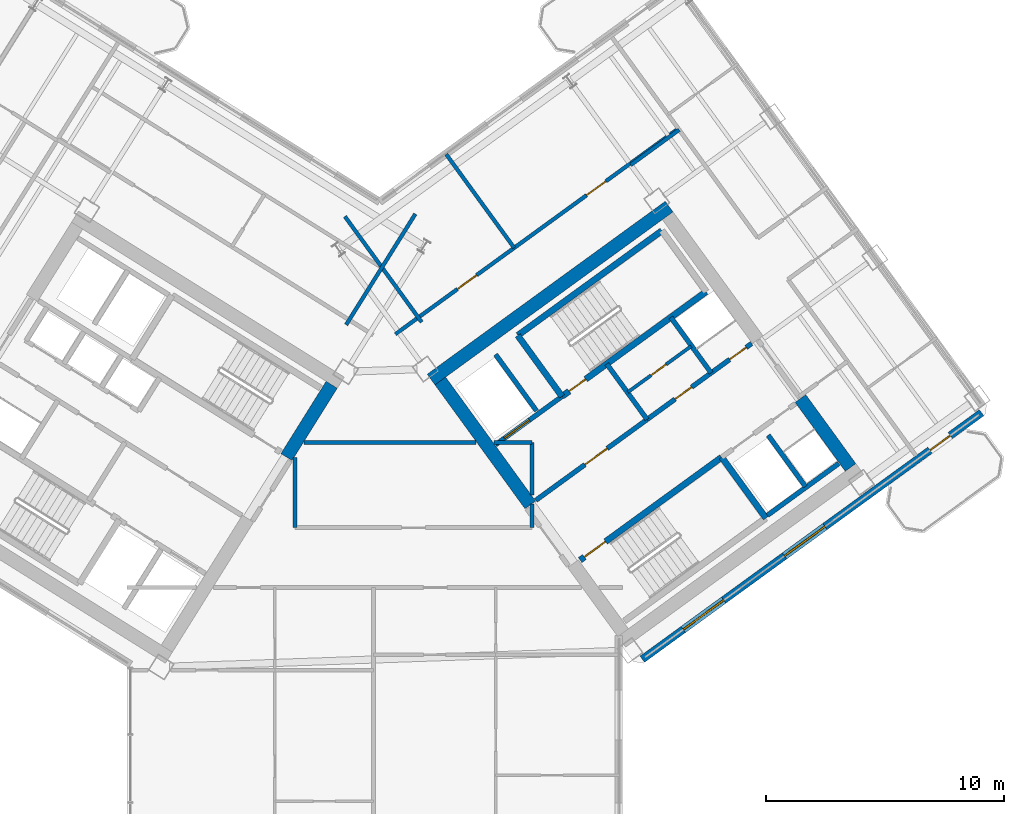
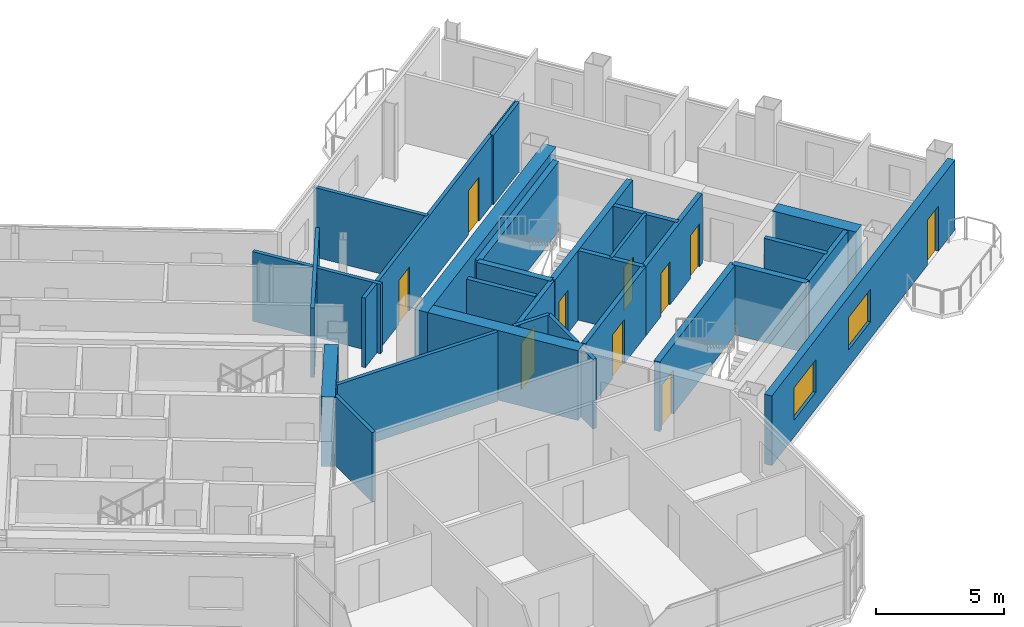
# One storey, part 14 of 21: 29 walls, 10 doors, 2 windows, 12 openings.
"""IFC4 building model written with IfcOpenShell, lengths in metres."""

from ifc_helpers import new_model, si_unit, direction, frame, frame_2d, origin, place, context, subcontext, project, spatial, rectangle, extrude, source, transform, mapped, material, layer, layer_set, type_object, element, fill, save


model = new_model("IFC4")

# Units and contexts
model_context = context("Model", 3, precision=1e-05, world=origin(), true_north=direction((0.0, 1.0)))
body_context = subcontext(model_context, "Body", "Model", "MODEL_VIEW")
ifc_project = project(units=[si_unit("LENGTHUNIT", "METRE"), si_unit("AREAUNIT", "SQUARE_METRE"), si_unit("VOLUMEUNIT", "CUBIC_METRE"), si_unit("PLANEANGLEUNIT", "RADIAN"), si_unit("MASSUNIT", "GRAM", prefix="KILO")], contexts=[model_context])

# Site, building, storey
site_placement = place(None, origin())
site = spatial("IfcSite", under=ifc_project, at=site_placement, CompositionType="ELEMENT")
building_placement = place(site_placement, origin())
building = spatial("IfcBuilding", under=site, at=building_placement, Name="Tlacorven Tower", CompositionType="ELEMENT")
storey_placement = place(building_placement, frame((0.0, 0.0, 191.39990234375)))
storey = spatial("IfcBuildingStorey", under=building, at=storey_placement, Name="L48", CompositionType="ELEMENT", Elevation=191.39990234375)

# Walls
ifc_material_1 = material(Name="Concrete C60/75", Category="concrete")
ifc_layer_1 = layer(ifc_material_1, 0.550048828125)
ifc_layer_set_1 = layer_set([ifc_layer_1], Name="Concrete C60/75")
wall_type_1 = type_object("IfcWallType", Name="WL-COR-550", PredefinedType="SHEAR", material=ifc_layer_set_1)
wall_1_placement = place(storey_placement, frame((40.194091796875, 23.92236328125, 0.0), z_axis=(0.0, 0.0, 1.0), x_axis=(-0.529888438328, -0.848067357541, 0.0)))
element("IfcWall", 1, at=wall_1_placement, inside=storey, type_object=wall_type_1, Name="L48 W core end wall E1.1", PredefinedType="SHEAR", context=body_context, shape_type="SweptSolid", body=[
    extrude(rectangle(XDim=3.574951171875, YDim=0.550048828125, at=frame_2d((1.78759765625, 0.0))), origin(), (0.0, 0.0, 1.0), 3.320068359375),
])
wall_2_placement = place(storey_placement, frame((44.364990234375, 24.142333984375, 0.0), z_axis=(0.0, 0.0, 1.0), x_axis=(0.809024304885, 0.587775190107, 0.0)))
element("IfcWall", 2, at=wall_2_placement, inside=storey, type_object=wall_type_1, Name="L48 E core shear wall S2", PredefinedType="SHEAR", context=body_context, shape_type="SweptSolid", body=[
    extrude(rectangle(XDim=12.340087890625, YDim=0.550048828125, at=frame_2d((6.169921875, 0.0))), origin(), (0.0, 0.0, 1.0), 3.320068359375),
])
wall_3_placement = place(storey_placement, frame((48.525634765625, 18.883544921875, 0.0), z_axis=(0.0, 0.0, 1.0), x_axis=(-0.587764933797, 0.809031756236, 0.0)))
element("IfcWall", 3, at=wall_3_placement, inside=storey, type_object=wall_type_1, Name="L48 E core end wall E1.2", PredefinedType="SHEAR", context=body_context, shape_type="SweptSolid", body=[
    extrude(rectangle(XDim=6.425048828125, YDim=0.550048828125, at=frame_2d((3.21240234375, 0.0))), origin(), (0.0, 0.0, 1.0), 3.320068359375),
])
wall_4_placement = place(storey_placement, frame((61.9580078125, 20.453857421875, 0.0), z_axis=(0.0, 0.0, 1.0), x_axis=(-0.587802113096, 0.809004744015, 0.0)))
element("IfcWall", 4, at=wall_4_placement, inside=storey, type_object=wall_type_1, Name="L48 E core end wall E2.1", PredefinedType="SHEAR", context=body_context, shape_type="SweptSolid", body=[
    extrude(rectangle(XDim=3.574951171875, YDim=0.550048828125, at=frame_2d((1.78759765625, 0.0))), origin(), (0.0, 0.0, 1.0), 3.320068359375),
])
ifc_material_2 = material(Name="Gypsum plasterboard acoustic partition", Category="gypsum")
ifc_layer_2 = layer(ifc_material_2, 0.159912109375)
ifc_layer_set_2 = layer_set([ifc_layer_2], Name="Gypsum plasterboard acoustic partition")
wall_type_2 = type_object("IfcWallType", Name="WL-DEM-160", PredefinedType="PARTITIONING", material=ifc_layer_set_2)
wall_5_placement = place(storey_placement, frame((43.70361328125, 31.086181640625, 0.0), z_axis=(0.0, 0.0, 1.0), x_axis=(-0.529906828443, -0.848055866774, 0.0)))
element("IfcWall", 5, at=wall_5_placement, inside=storey, type_object=wall_type_2, Name="L48 WC West Throat Wall", PredefinedType="PARTITIONING", context=body_context, shape_type="SweptSolid", body=[
    extrude(rectangle(XDim=5.479736328125, YDim=0.159912109375, at=frame_2d((2.73974609375, 0.0))), origin(), (0.0, 0.0, 1.0), 3.31005859375),
])
wall_6_placement = place(storey_placement, frame((38.64990234375, 17.929931640625, 0.0), z_axis=(0.0, 0.0, 1.0), x_axis=(0.0, 1.0, 0.0)))
element("IfcWall", 6, at=wall_6_placement, inside=storey, type_object=wall_type_2, Name="L48 partition 73", PredefinedType="PARTITIONING", context=body_context, shape_type="SweptSolid", body=[
    extrude(rectangle(XDim=2.951416015625, YDim=0.159912109375, at=frame_2d((1.4755859375, 0.0))), origin(), (0.0, 0.0, 1.0), 3.31005859375),
])
wall_7_placement = place(storey_placement, frame((48.60009765625, 17.929931640625, 0.0), z_axis=(0.0, 0.0, 1.0), x_axis=(0.0, 1.0, 0.0)))
element("IfcWall", 7, at=wall_7_placement, inside=storey, type_object=wall_type_2, Name="L48 partition 74", PredefinedType="PARTITIONING", context=body_context, shape_type="SweptSolid", body=[
    extrude(rectangle(XDim=0.99267578125, YDim=0.159912109375, at=frame_2d((0.496337890625, 0.0))), origin(), (0.0, 0.0, 1.0), 3.31005859375),
])
wall_8_placement = place(storey_placement, frame((48.60009765625, 19.295166015625, 0.0), z_axis=(0.0, 0.0, 1.0), x_axis=(0.0, 1.0, 0.0)))
element("IfcWall", 8, at=wall_8_placement, inside=storey, type_object=wall_type_2, Name="L48 partition 74", PredefinedType="PARTITIONING", context=body_context, shape_type="SweptSolid", body=[
    extrude(rectangle(XDim=2.204833984375, YDim=0.159912109375, at=frame_2d((1.1025390625, 0.0))), origin(), (0.0, 0.0, 1.0), 3.31005859375),
])
wall_9_placement = place(storey_placement, frame((39.03662109375, 21.5, 0.0), z_axis=(0.0, 0.0, 1.0), x_axis=(1.0, 0.0, 0.0)))
element("IfcWall", 9, at=wall_9_placement, inside=storey, type_object=wall_type_2, Name="L48 partition 75", PredefinedType="PARTITIONING", context=body_context, shape_type="SweptSolid", body=[
    extrude(rectangle(XDim=7.21484375, YDim=0.159912109375, at=frame_2d((3.607421875, 0.0))), origin(), (0.0, 0.0, 1.0), 3.31005859375),
])
wall_10_placement = place(storey_placement, frame((46.998046875, 21.5, 0.0), z_axis=(0.0, 0.0, 1.0), x_axis=(1.0, 0.0, 0.0)))
element("IfcWall", 10, at=wall_10_placement, inside=storey, type_object=wall_type_2, Name="L48 partition 75", PredefinedType="PARTITIONING", context=body_context, shape_type="SweptSolid", body=[
    extrude(rectangle(XDim=1.60205078125, YDim=0.159912109375, at=frame_2d((0.801025390625, 0.0))), origin(), (0.0, 0.0, 1.0), 3.31005859375),
])
wall_11_placement = place(storey_placement, frame((52.73876953125, 33.143310546875, 0.0), z_axis=(0.0, 0.0, 1.0), x_axis=(0.809000999347, 0.58780726693, 0.0)))
element("IfcWall", 11, at=wall_11_placement, inside=storey, type_object=wall_type_2, Name="L48 partition 88", PredefinedType="PARTITIONING", context=body_context, shape_type="SweptSolid", body=[
    extrude(rectangle(XDim=2.510009765625, YDim=0.159912109375, at=frame_2d((1.2548828125, 0.0))), origin(), (0.0, 0.0, 1.0), 3.31005859375),
])

# Wall, openings, doors
wall_12_placement = place(storey_placement, frame((42.86572265625, 26.04443359375, 0.0), z_axis=(0.0, 0.0, 1.0), x_axis=(0.809020254154, 0.587780765566, 0.0)))
wall_12 = element("IfcWall", 12, at=wall_12_placement, inside=storey, type_object=wall_type_2, Name="L48 partition 96", PredefinedType="PARTITIONING", context=body_context, shape_type="SweptSolid", body=[
    extrude(rectangle(XDim=14.670166015625, YDim=0.159912109375, at=frame_2d((7.3349609375, 0.0))), origin(), (0.0, 0.0, 1.0), 3.31005859375),
])
opening_1_placement = place(wall_12_placement, frame((3.215087890625, 0.0, 0.0)))
opening_1 = element("IfcOpeningElement", 13, at=opening_1_placement, cuts=wall_12, Name="Opening D11", PredefinedType="OPENING", context=body_context, shape_type="SweptSolid", body=[
    extrude(rectangle(XDim=1.0, YDim=2.10009765625, at=frame_2d((0.5, 1.050048828125))), frame((0.0, 0.08984375, 0.0), z_axis=(0.0, -1.0, 0.0), x_axis=(1.0, 0.0, 0.0)), (0.0, 0.0, 1.0), 0.179931640625),
])
opening_2_placement = place(wall_12_placement, frame((9.9150390625, 0.0, 0.0)))
opening_2 = element("IfcOpeningElement", 14, at=opening_2_placement, cuts=wall_12, Name="Opening D11", PredefinedType="OPENING", context=body_context, shape_type="SweptSolid", body=[
    extrude(rectangle(XDim=1.0, YDim=2.10009765625, at=frame_2d((0.5, 1.050048828125))), frame((0.0, 0.08984375, 0.0), z_axis=(0.0, -1.0, 0.0), x_axis=(1.0, 0.0, 0.0)), (0.0, 0.0, 1.0), 0.179931640625),
])
ifc_material_3 = material(Name="Fire-rated steel door assembly", Category="steel")
door_type_1 = type_object("IfcDoorType", Name="DR-FLT-FD60-1000", OperationType="NOTDEFINED", PredefinedType="DOOR", material=ifc_material_3)
shared_shape_1 = source(origin(), body_context, "Body", "SweptSolid", [
    extrude(rectangle(XDim=1.0, YDim=2.10009765625, at=frame_2d((0.5, 1.050048828125))), frame((0.0, 0.02490234375, 0.0), z_axis=(0.0, -1.0, 0.0), x_axis=(1.0, 0.0, 0.0)), (0.0, 0.0, 1.0), 0.050048828125),
])
door_1_placement = place(opening_1_placement, origin())
door_1 = element("IfcDoor", 15, at=door_1_placement, inside=storey, type_object=door_type_1, Name="L48 door 062", OperationType="SINGLE_SWING_LEFT", OverallHeight=2.10009765625, OverallWidth=1.0, PredefinedType="DOOR", context=body_context, shape_type="MappedRepresentation", body=[
    mapped(shared_shape_1, transform((0.0, 0.0, 0.0), scale=1.0)),
])
fill(opening_1, door_1)
door_2_placement = place(opening_2_placement, origin())
door_2 = element("IfcDoor", 16, at=door_2_placement, inside=storey, type_object=door_type_1, Name="L48 door 063", OperationType="SINGLE_SWING_RIGHT", OverallHeight=2.10009765625, OverallWidth=1.0, PredefinedType="DOOR", context=body_context, shape_type="MappedRepresentation", body=[
    mapped(shared_shape_1, transform((0.0, 0.0, 0.0), scale=1.0)),
])
fill(opening_2, door_2)

# Walls
wall_13_placement = place(storey_placement, frame((43.969482421875, 26.549560546875, 0.0), z_axis=(0.0, 0.0, 1.0), x_axis=(-0.587776919386, 0.80902304852, 0.0)))
element("IfcWall", 17, at=wall_13_placement, inside=storey, type_object=wall_type_2, Name="L48 EC West Throat Wall", PredefinedType="PARTITIONING", context=body_context, shape_type="SweptSolid", body=[
    extrude(rectangle(XDim=5.47998046875, YDim=0.159912109375, at=frame_2d((2.739990234375, 0.0))), origin(), (0.0, 0.0, 1.0), 3.31005859375),
])
wall_14_placement = place(storey_placement, frame((47.849365234375, 29.6650390625, 0.0), z_axis=(0.0, 0.0, 1.0), x_axis=(-0.587785532001, 0.809016791155, 0.0)))
element("IfcWall", 18, at=wall_14_placement, inside=storey, type_object=wall_type_2, Name="L48 EC Demising Wall 1", PredefinedType="PARTITIONING", context=body_context, shape_type="SweptSolid", body=[
    extrude(rectangle(XDim=4.85009765625, YDim=0.159912109375, at=frame_2d((2.425048828125, 0.0))), origin(), (0.0, 0.0, 1.0), 3.31005859375),
])

# Wall, openings, door, windows
ifc_material_4 = material(Name="Precast concrete C45/55", Category="concrete")
ifc_layer_3 = layer(ifc_material_4, 0.320068359375)
ifc_layer_set_3 = layer_set([ifc_layer_3], Name="Precast concrete C45/55")
wall_type_3 = type_object("IfcWallType", Name="WL-EXT-320", PredefinedType="STANDARD", material=ifc_layer_set_3)
wall_15_placement = place(storey_placement, frame((67.45361328125, 22.746826171875, 0.0), z_axis=(0.0, 0.0, 1.0), x_axis=(-0.809021120468, -0.587779573171, 0.0)))
wall_15 = element("IfcWall", 19, at=wall_15_placement, inside=storey, type_object=wall_type_3, Name="L48 Masonry-Frame Recessed Facade Wall 6", PredefinedType="STANDARD", context=body_context, shape_type="SweptSolid", body=[
    extrude(rectangle(XDim=17.587646484375, YDim=0.320068359375, at=frame_2d((8.7939453125, 0.0))), origin(), (0.0, 0.0, 1.0), 3.320068359375),
])
opening_3_placement = place(wall_15_placement, frame((1.623779296875, 0.0, 0.0)))
opening_3 = element("IfcOpeningElement", 20, at=opening_3_placement, cuts=wall_15, Name="Opening D06", PredefinedType="OPENING", context=body_context, shape_type="SweptSolid", body=[
    extrude(rectangle(XDim=1.050048828125, YDim=2.14990234375, at=frame_2d((0.52490234375, 1.074951171875))), frame((0.0, 0.169921875, 0.0), z_axis=(0.0, -1.0, 0.0), x_axis=(1.0, 0.0, 0.0)), (0.0, 0.0, 1.0), 0.340087890625),
])
opening_4_placement = place(wall_15_placement, frame((8.11865234375, 0.0, 0.800048828125)))
opening_4 = element("IfcOpeningElement", 21, at=opening_4_placement, cuts=wall_15, Name="Opening WN04", PredefinedType="OPENING", context=body_context, shape_type="SweptSolid", body=[
    extrude(rectangle(XDim=2.10009765625, YDim=1.550048828125, at=frame_2d((1.050048828125, 0.77490234375))), frame((0.0, 0.169921875, 0.0), z_axis=(0.0, -1.0, 0.0), x_axis=(1.0, 0.0, 0.0)), (0.0, 0.0, 1.0), 0.340087890625),
])
opening_5_placement = place(wall_15_placement, frame((13.36865234375, 0.0, 0.800048828125)))
opening_5 = element("IfcOpeningElement", 22, at=opening_5_placement, cuts=wall_15, Name="Opening WN04", PredefinedType="OPENING", context=body_context, shape_type="SweptSolid", body=[
    extrude(rectangle(XDim=2.10009765625, YDim=1.550048828125, at=frame_2d((1.050048828125, 0.77490234375))), frame((0.0, 0.169921875, 0.0), z_axis=(0.0, -1.0, 0.0), x_axis=(1.0, 0.0, 0.0)), (0.0, 0.0, 1.0), 0.340087890625),
])
ifc_material_5 = material(Name="Powder-coated aluminium and timber door", Category="wood")
door_type_2 = type_object("IfcDoorType", Name="DR-EXT-BALC-1050", OperationType="NOTDEFINED", PredefinedType="DOOR", material=ifc_material_5)
shared_shape_2 = source(origin(), body_context, "Body", "SweptSolid", [
    extrude(rectangle(XDim=1.050048828125, YDim=2.14990234375, at=frame_2d((0.52490234375, 1.074951171875))), frame((0.0, 0.02490234375, 0.0), z_axis=(0.0, -1.0, 0.0), x_axis=(1.0, 0.0, 0.0)), (0.0, 0.0, 1.0), 0.050048828125),
])
door_3_placement = place(opening_3_placement, origin())
door_3 = element("IfcDoor", 23, at=door_3_placement, inside=storey, type_object=door_type_2, Name="L48 Outdoor Access Door BAL-L48-E-OUT", OperationType="SINGLE_SWING_LEFT", OverallHeight=2.14990234375, OverallWidth=1.050048828125, PredefinedType="DOOR", context=body_context, shape_type="MappedRepresentation", body=[
    mapped(shared_shape_2, transform((0.0, 0.0, 0.0), scale=1.0)),
])
fill(opening_3, door_3)
ifc_material_6 = material(Name="Dark solar low-E double glazing in anodised aluminium frame", Category="aluminium")
window_type = type_object("IfcWindowType", Name="WN-APT-2100X1750", PartitioningType="SINGLE_PANEL", PredefinedType="WINDOW", material=ifc_material_6)
shared_shape_3 = source(origin(), body_context, "Body", "SweptSolid", [
    extrude(rectangle(XDim=2.10009765625, YDim=1.550048828125, at=frame_2d((1.050048828125, 0.77490234375))), frame((0.0, 0.030029296875, 0.0), z_axis=(0.0, -1.0, 0.0), x_axis=(1.0, 0.0, 0.0)), (0.0, 0.0, 1.0), 0.06005859375),
])
window_1_placement = place(opening_4_placement, origin())
window_1 = element("IfcWindow", 24, at=window_1_placement, inside=storey, type_object=window_type, Name="L48 Recessed Masonry-Frame Window L48-06.1", OverallHeight=1.550048828125, OverallWidth=2.10009765625, PartitioningType="SINGLE_PANEL", PredefinedType="WINDOW", context=body_context, shape_type="MappedRepresentation", body=[
    mapped(shared_shape_3, transform((0.0, 0.0, 0.0), scale=1.0)),
])
fill(opening_4, window_1)
window_2_placement = place(opening_5_placement, origin())
window_2 = element("IfcWindow", 25, at=window_2_placement, inside=storey, type_object=window_type, Name="L48 Recessed Masonry-Frame Window L48-06.2", OverallHeight=1.550048828125, OverallWidth=2.10009765625, PartitioningType="SINGLE_PANEL", PredefinedType="WINDOW", context=body_context, shape_type="MappedRepresentation", body=[
    mapped(shared_shape_3, transform((0.0, 0.0, 0.0), scale=1.0)),
])
fill(opening_5, window_2)

# Wall, opening, door
ifc_material_7 = material(Name="Moisture-resistant gypsum plumbing wall", Category="gypsum")
ifc_layer_4 = layer(ifc_material_7, 0.139892578125)
ifc_layer_set_4 = layer_set([ifc_layer_4], Name="Moisture-resistant gypsum plumbing wall")
wall_type_4 = type_object("IfcWallType", Name="WL-PLM-140", PredefinedType="PLUMBINGWALL", material=ifc_layer_set_4)
wall_16_placement = place(storey_placement, frame((52.617919921875, 23.612060546875, 0.0), z_axis=(0.0, 0.0, 1.0), x_axis=(0.809009587469, 0.587795446889, 0.0)))
wall_16 = element("IfcWall", 26, at=wall_16_placement, inside=storey, type_object=wall_type_4, Name="L48 partition 41", PredefinedType="PLUMBINGWALL", context=body_context, shape_type="SweptSolid", body=[
    extrude(rectangle(XDim=3.280029296875, YDim=0.139892578125, at=frame_2d((1.64013671875, 0.0))), origin(), (0.0, 0.0, 1.0), 3.31005859375),
])
opening_6_placement = place(wall_16_placement, frame((1.199951171875, 0.0, 0.0)))
opening_6 = element("IfcOpeningElement", 27, at=opening_6_placement, cuts=wall_16, Name="Opening D22", PredefinedType="OPENING", context=body_context, shape_type="SweptSolid", body=[
    extrude(rectangle(XDim=0.780029296875, YDim=2.050048828125, at=frame_2d((0.39013671875, 1.02490234375))), frame((0.0, 0.080078125, 0.0), z_axis=(0.0, -1.0, 0.0), x_axis=(1.0, 0.0, 0.0)), (0.0, 0.0, 1.0), 0.159912109375),
])
door_type_3 = type_object("IfcDoorType", Name="DR-INT-WET-0780", OperationType="NOTDEFINED", PredefinedType="DOOR", material=ifc_material_5)
shared_shape_4 = source(origin(), body_context, "Body", "SweptSolid", [
    extrude(rectangle(XDim=0.780029296875, YDim=2.050048828125, at=frame_2d((0.39013671875, 1.02490234375))), frame((0.0, 0.02490234375, 0.0), z_axis=(0.0, -1.0, 0.0), x_axis=(1.0, 0.0, 0.0)), (0.0, 0.0, 1.0), 0.050048828125),
])
door_4_placement = place(opening_6_placement, origin())
door_4 = element("IfcDoor", 28, at=door_4_placement, inside=storey, type_object=door_type_3, Name="L48 door 019", OperationType="SINGLE_SWING_LEFT", OverallHeight=2.050048828125, OverallWidth=0.780029296875, PredefinedType="DOOR", context=body_context, shape_type="MappedRepresentation", body=[
    mapped(shared_shape_4, transform((0.0, 0.0, 0.0), scale=1.0)),
])
fill(opening_6, door_4)

ifc_material_8 = material(Name="Concrete C40/50", Category="concrete")
ifc_layer_5 = layer(ifc_material_8, 0.199951171875)
ifc_layer_set_5 = layer_set([ifc_layer_5], Name="Concrete C40/50")
wall_type_5 = type_object("IfcWallType", Name="WL-SHF-200", PredefinedType="STANDARD", material=ifc_layer_set_5)
wall_17_placement = place(storey_placement, frame((47.0654296875, 21.4072265625, 0.0), z_axis=(0.0, 0.0, 1.0), x_axis=(0.809032984992, 0.587763242466, 0.0)))
wall_17 = element("IfcWall", 29, at=wall_17_placement, inside=storey, type_object=wall_type_5, Name="L48 Core E Firefighting Lift Shaft Front Wall", PredefinedType="STANDARD", context=body_context, shape_type="SweptSolid", body=[
    extrude(rectangle(XDim=3.447998046875, YDim=0.199951171875, at=frame_2d((1.72412109375, 0.0))), origin(), (0.0, 0.0, 1.0), 3.31005859375),
])
opening_7_placement = place(wall_17_placement, frame((0.4580078125, 0.0, 0.0)))
opening_7 = element("IfcOpeningElement", 30, at=opening_7_placement, cuts=wall_17, Name="Opening LD03", PredefinedType="OPENING", context=body_context, shape_type="SweptSolid", body=[
    extrude(rectangle(XDim=1.300048828125, YDim=2.199951171875, at=frame_2d((0.64990234375, 1.10009765625))), frame((0.0, 0.10986328125, 0.0), z_axis=(0.0, -1.0, 0.0), x_axis=(1.0, 0.0, 0.0)), (0.0, 0.0, 1.0), 0.219970703125),
])
door_type_4 = type_object("IfcDoorType", Name="DR-LFT-SLID-1300", OperationType="DOUBLE_DOOR_SLIDING", PredefinedType="DOOR", material=ifc_material_3)
shared_shape_5 = source(origin(), body_context, "Body", "SweptSolid", [
    extrude(rectangle(XDim=1.300048828125, YDim=2.199951171875, at=frame_2d((0.64990234375, 1.10009765625))), frame((0.0, 0.02490234375, 0.0), z_axis=(0.0, -1.0, 0.0), x_axis=(1.0, 0.0, 0.0)), (0.0, 0.0, 1.0), 0.050048828125),
])
door_5_placement = place(opening_7_placement, origin())
door_5 = element("IfcDoor", 31, at=door_5_placement, inside=storey, type_object=door_type_4, Name="L48 Lift FFL-E1 Sliding Landing Door", OperationType="DOUBLE_DOOR_SLIDING", OverallHeight=2.199951171875, OverallWidth=1.300048828125, PredefinedType="DOOR", context=body_context, shape_type="MappedRepresentation", body=[
    mapped(shared_shape_5, transform((0.0, 0.0, 0.0), scale=1.0)),
])
fill(opening_7, door_5)

wall_18_placement = place(storey_placement, frame((48.75830078125, 19.0771484375, 0.0), z_axis=(0.0, 0.0, 1.0), x_axis=(0.809005065155, 0.587801671104, 0.0)))
wall_18 = element("IfcWall", 32, at=wall_18_placement, inside=storey, type_object=wall_type_5, Name="L48 Core E Smoke Lobby Wall", PredefinedType="STANDARD", context=body_context, shape_type="SweptSolid", body=[
    extrude(rectangle(XDim=5.767822265625, YDim=0.199951171875, at=frame_2d((2.8837890625, 0.0))), origin(), (0.0, 0.0, 1.0), 3.31005859375),
])
opening_8_placement = place(wall_18_placement, frame((2.548095703125, 0.0, 0.0)))
opening_8 = element("IfcOpeningElement", 33, at=opening_8_placement, cuts=wall_18, Name="Opening D09", PredefinedType="OPENING", context=body_context, shape_type="SweptSolid", body=[
    extrude(rectangle(XDim=1.14990234375, YDim=2.10009765625, at=frame_2d((0.574951171875, 1.050048828125))), frame((0.0, 0.10986328125, 0.0), z_axis=(0.0, -1.0, 0.0), x_axis=(1.0, 0.0, 0.0)), (0.0, 0.0, 1.0), 0.219970703125),
])
door_type_5 = type_object("IfcDoorType", Name="DR-FFL-FD60-1150", OperationType="NOTDEFINED", PredefinedType="DOOR", material=ifc_material_3)
shared_shape_6 = source(origin(), body_context, "Body", "SweptSolid", [
    extrude(rectangle(XDim=1.14990234375, YDim=2.10009765625, at=frame_2d((0.574951171875, 1.050048828125))), frame((0.0, 0.02490234375, 0.0), z_axis=(0.0, -1.0, 0.0), x_axis=(1.0, 0.0, 0.0)), (0.0, 0.0, 1.0), 0.050048828125),
])
door_6_placement = place(opening_8_placement, origin())
door_6 = element("IfcDoor", 34, at=door_6_placement, inside=storey, type_object=door_type_5, Name="L48 Firefighting Lobby E Fire Door", OperationType="SINGLE_SWING_LEFT", OverallHeight=2.10009765625, OverallWidth=1.14990234375, PredefinedType="DOOR", context=body_context, shape_type="MappedRepresentation", body=[
    mapped(shared_shape_6, transform((0.0, 0.0, 0.0), scale=1.0)),
])
fill(opening_8, door_6)

# Walls
wall_19_placement = place(storey_placement, frame((48.78564453125, 22.830078125, 0.0), z_axis=(0.0, 0.0, 1.0), x_axis=(-0.587783856777, 0.809018008275, 0.0)))
element("IfcWall", 35, at=wall_19_placement, inside=storey, type_object=wall_type_5, Name="L48 partition 33", PredefinedType="STANDARD", context=body_context, shape_type="SweptSolid", body=[
    extrude(rectangle(XDim=2.919921875, YDim=0.199951171875, at=frame_2d((1.4599609375, 0.0))), origin(), (0.0, 0.0, 1.0), 3.31005859375),
])
wall_20_placement = place(storey_placement, frame((60.066650390625, 19.654541015625, 0.0), z_axis=(0.0, 0.0, 1.0), x_axis=(-0.587800520745, 0.809005900975, 0.0)))
element("IfcWall", 36, at=wall_20_placement, inside=storey, type_object=wall_type_5, Name="L48 partition 34", PredefinedType="STANDARD", context=body_context, shape_type="SweptSolid", body=[
    extrude(rectangle(XDim=2.659912109375, YDim=0.199951171875, at=frame_2d((1.330078125, 0.0))), origin(), (0.0, 0.0, 1.0), 3.31005859375),
])
wall_21_placement = place(storey_placement, frame((58.47216796875, 18.446533203125, 0.0), z_axis=(0.0, 0.0, 1.0), x_axis=(0.809018631237, 0.587782999339, 0.0)))
element("IfcWall", 37, at=wall_21_placement, inside=storey, type_object=wall_type_5, Name="L48 partition 36", PredefinedType="STANDARD", context=body_context, shape_type="SweptSolid", body=[
    extrude(rectangle(XDim=3.697998046875, YDim=0.199951171875, at=frame_2d((1.84912109375, 0.0))), origin(), (0.0, 0.0, 1.0), 3.31005859375),
])
wall_22_placement = place(storey_placement, frame((53.424560546875, 22.467529296875, 0.0), z_axis=(0.0, 0.0, 1.0), x_axis=(-0.5877230039, 0.809062216821, 0.0)))
element("IfcWall", 38, at=wall_22_placement, inside=storey, type_object=wall_type_5, Name="L48 partition 38", PredefinedType="STANDARD", context=body_context, shape_type="SweptSolid", body=[
    extrude(rectangle(XDim=2.8798828125, YDim=0.199951171875, at=frame_2d((1.43994140625, 0.0))), origin(), (0.0, 0.0, 1.0), 3.31005859375),
])
wall_23_placement = place(storey_placement, frame((56.110595703125, 24.4189453125, 0.0), z_axis=(0.0, 0.0, 1.0), x_axis=(-0.58777848983, 0.809021907548, 0.0)))
element("IfcWall", 39, at=wall_23_placement, inside=storey, type_object=wall_type_5, Name="L48 partition 39", PredefinedType="STANDARD", context=body_context, shape_type="SweptSolid", body=[
    extrude(rectangle(XDim=2.880126953125, YDim=0.199951171875, at=frame_2d((1.43994140625, 0.0))), origin(), (0.0, 0.0, 1.0), 3.31005859375),
])

# Wall, openings, doors
wall_24_placement = place(storey_placement, frame((53.424560546875, 22.467529296875, 0.0), z_axis=(0.0, 0.0, 1.0), x_axis=(0.809024377198, 0.587775090574, 0.0)))
wall_24 = element("IfcWall", 40, at=wall_24_placement, inside=storey, type_object=wall_type_5, Name="L48 Core E North Service Wall", PredefinedType="STANDARD", context=body_context, shape_type="SweptSolid", body=[
    extrude(rectangle(XDim=5.41796875, YDim=0.199951171875, at=frame_2d((2.708984375, 0.0))), origin(), (0.0, 0.0, 1.0), 3.31005859375),
])
opening_9_placement = place(wall_24_placement, frame((4.280029296875, 0.0, 0.0)))
opening_9 = element("IfcOpeningElement", 41, at=opening_9_placement, cuts=wall_24, Name="Opening D19", PredefinedType="OPENING", context=body_context, shape_type="SweptSolid", body=[
    extrude(rectangle(XDim=0.860107421875, YDim=2.050048828125, at=frame_2d((0.43017578125, 1.02490234375))), frame((0.0, 0.10986328125, 0.0), z_axis=(0.0, -1.0, 0.0), x_axis=(1.0, 0.0, 0.0)), (0.0, 0.0, 1.0), 0.219970703125),
])
opening_10_placement = place(wall_24_placement, frame((1.449951171875, 0.0, 0.0)))
opening_10 = element("IfcOpeningElement", 42, at=opening_10_placement, cuts=wall_24, Name="Opening D19", PredefinedType="OPENING", context=body_context, shape_type="SweptSolid", body=[
    extrude(rectangle(XDim=0.860107421875, YDim=2.050048828125, at=frame_2d((0.43017578125, 1.02490234375))), frame((0.0, 0.10986328125, 0.0), z_axis=(0.0, -1.0, 0.0), x_axis=(1.0, 0.0, 0.0)), (0.0, 0.0, 1.0), 0.219970703125),
])
door_type_6 = type_object("IfcDoorType", Name="DR-RSR-FD60-0860", OperationType="NOTDEFINED", PredefinedType="DOOR", material=ifc_material_3)
shared_shape_7 = source(origin(), body_context, "Body", "SweptSolid", [
    extrude(rectangle(XDim=0.860107421875, YDim=2.050048828125, at=frame_2d((0.43017578125, 1.02490234375))), frame((0.0, 0.02490234375, 0.0), z_axis=(0.0, -1.0, 0.0), x_axis=(1.0, 0.0, 0.0)), (0.0, 0.0, 1.0), 0.050048828125),
])
door_7_placement = place(opening_9_placement, frame((0.860107421875, 0.0, 0.0), z_axis=(0.0, 0.0, 1.0), x_axis=(-1.0, 0.0, 0.0)))
door_7 = element("IfcDoor", 43, at=door_7_placement, inside=storey, type_object=door_type_6, Name="L48 Electrical Riser Access Door E", OperationType="SINGLE_SWING_LEFT", OverallHeight=2.050048828125, OverallWidth=0.860107421875, PredefinedType="DOOR", context=body_context, shape_type="MappedRepresentation", body=[
    mapped(shared_shape_7, transform((0.0, 0.0, 0.0), scale=1.0)),
])
fill(opening_9, door_7)
door_8_placement = place(opening_10_placement, frame((0.860107421875, 0.0, 0.0), z_axis=(0.0, 0.0, 1.0), x_axis=(-1.0, 0.0, 0.0)))
door_8 = element("IfcDoor", 44, at=door_8_placement, inside=storey, type_object=door_type_6, Name="L48 Cleaner Store Access Door E", OperationType="SINGLE_SWING_RIGHT", OverallHeight=2.050048828125, OverallWidth=0.860107421875, PredefinedType="DOOR", context=body_context, shape_type="MappedRepresentation", body=[
    mapped(shared_shape_7, transform((0.0, 0.0, 0.0), scale=1.0)),
])
fill(opening_10, door_8)

# Wall
ifc_material_9 = material(Name="Concrete C50/60", Category="concrete")
ifc_layer_6 = layer(ifc_material_9, 0.260009765625)
ifc_layer_set_6 = layer_set([ifc_layer_6], Name="Concrete C50/60")
wall_type_6 = type_object("IfcWallType", Name="WL-STW-260", PredefinedType="SHEAR", material=ifc_layer_set_6)
wall_25_placement = place(storey_placement, frame((48.005615234375, 25.996337890625, 0.0), z_axis=(0.0, 0.0, 1.0), x_axis=(0.80901903764, 0.587782439969, 0.0)))
element("IfcWall", 45, at=wall_25_placement, inside=storey, type_object=wall_type_6, Name="L48 Stair E1 Far Shear Wall", PredefinedType="SHEAR", context=body_context, shape_type="SweptSolid", body=[
    extrude(rectangle(XDim=7.4599609375, YDim=0.260009765625, at=frame_2d((3.72998046875, 0.0))), origin(), (0.0, 0.0, 1.0), 3.320068359375),
])

# Wall, opening, door
wall_26_placement = place(storey_placement, frame((49.863037109375, 23.439697265625, 0.0), z_axis=(0.0, 0.0, 1.0), x_axis=(0.809003474932, 0.587803859759, 0.0)))
wall_26 = element("IfcWall", 46, at=wall_26_placement, inside=storey, type_object=wall_type_6, Name="L48 Stair E1 Lobby Shear Wall", PredefinedType="SHEAR", context=body_context, shape_type="SweptSolid", body=[
    extrude(rectangle(XDim=7.4599609375, YDim=0.260009765625, at=frame_2d((3.72998046875, 0.0))), origin(), (0.0, 0.0, 1.0), 3.320068359375),
])
opening_11_placement = place(wall_26_placement, frame((0.360107421875, 0.0, 0.0)))
opening_11 = element("IfcOpeningElement", 47, at=opening_11_placement, cuts=wall_26, Name="Opening D19", PredefinedType="OPENING", context=body_context, shape_type="SweptSolid", body=[
    extrude(rectangle(XDim=0.860107421875, YDim=2.050048828125, at=frame_2d((0.43017578125, 1.02490234375))), frame((0.0, 0.14013671875, 0.0), z_axis=(0.0, -1.0, 0.0), x_axis=(1.0, 0.0, 0.0)), (0.0, 0.0, 1.0), 0.280029296875),
])
door_9_placement = place(opening_11_placement, frame((0.860107421875, 0.0, 0.0), z_axis=(0.0, 0.0, 1.0), x_axis=(-1.0, 0.0, 0.0)))
door_9 = element("IfcDoor", 48, at=door_9_placement, inside=storey, type_object=door_type_6, Name="L48 Exit Stair E1 Fire Door", OperationType="SINGLE_SWING_LEFT", OverallHeight=2.050048828125, OverallWidth=0.860107421875, PredefinedType="DOOR", context=body_context, shape_type="MappedRepresentation", body=[
    mapped(shared_shape_7, transform((0.0, 0.0, 0.0), scale=1.0)),
])
fill(opening_11, door_9)

# Wall
wall_27_placement = place(storey_placement, frame((49.85498046875, 23.433837890625, 0.0), z_axis=(0.0, 0.0, 1.0), x_axis=(-0.58776738483, 0.809029975545, 0.0)))
element("IfcWall", 49, at=wall_27_placement, inside=storey, type_object=wall_type_6, Name="L48 Stair E1 West Shear Wall", PredefinedType="SHEAR", context=body_context, shape_type="SweptSolid", body=[
    extrude(rectangle(XDim=3.16015625, YDim=0.260009765625, at=frame_2d((1.580078125, 0.0))), origin(), (0.0, 0.0, 1.0), 3.320068359375),
])

# Wall, opening, door
wall_28_placement = place(storey_placement, frame((50.61474609375, 16.569580078125, 0.0), z_axis=(0.0, 0.0, 1.0), x_axis=(0.809028366311, 0.587769599847, 0.0)))
wall_28 = element("IfcWall", 50, at=wall_28_placement, inside=storey, type_object=wall_type_6, Name="L48 Stair E2 Lobby Shear Wall", PredefinedType="SHEAR", context=body_context, shape_type="SweptSolid", body=[
    extrude(rectangle(XDim=7.330078125, YDim=0.260009765625, at=frame_2d((3.6650390625, 0.0))), origin(), (0.0, 0.0, 1.0), 3.320068359375),
])
opening_12_placement = place(wall_28_placement, frame((0.219970703125, 0.0, 0.0)))
opening_12 = element("IfcOpeningElement", 51, at=opening_12_placement, cuts=wall_28, Name="Opening D07", PredefinedType="OPENING", context=body_context, shape_type="SweptSolid", body=[
    extrude(rectangle(XDim=1.10009765625, YDim=2.10009765625, at=frame_2d((0.550048828125, 1.050048828125))), frame((0.0, 0.14013671875, 0.0), z_axis=(0.0, -1.0, 0.0), x_axis=(1.0, 0.0, 0.0)), (0.0, 0.0, 1.0), 0.280029296875),
])
door_type_7 = type_object("IfcDoorType", Name="DR-STR-FD90-1100", OperationType="NOTDEFINED", PredefinedType="DOOR", material=ifc_material_3)
shared_shape_8 = source(origin(), body_context, "Body", "SweptSolid", [
    extrude(rectangle(XDim=1.10009765625, YDim=2.10009765625, at=frame_2d((0.550048828125, 1.050048828125))), frame((0.0, 0.02490234375, 0.0), z_axis=(0.0, -1.0, 0.0), x_axis=(1.0, 0.0, 0.0)), (0.0, 0.0, 1.0), 0.050048828125),
])
door_10_placement = place(opening_12_placement, origin())
door_10 = element("IfcDoor", 52, at=door_10_placement, inside=storey, type_object=door_type_7, Name="L48 Exit Stair E2 Fire Door", OperationType="SINGLE_SWING_RIGHT", OverallHeight=2.10009765625, OverallWidth=1.10009765625, PredefinedType="DOOR", context=body_context, shape_type="MappedRepresentation", body=[
    mapped(shared_shape_8, transform((0.0, 0.0, 0.0), scale=1.0)),
])
fill(opening_12, door_10)

# Wall
wall_29_placement = place(storey_placement, frame((58.410400390625, 18.327392578125, 0.0), z_axis=(0.0, 0.0, 1.0), x_axis=(-0.58776738483, 0.809029975545, 0.0)))
element("IfcWall", 53, at=wall_29_placement, inside=storey, type_object=wall_type_6, Name="L48 Stair E2 East Shear Wall", PredefinedType="SHEAR", context=body_context, shape_type="SweptSolid", body=[
    extrude(rectangle(XDim=3.16015625, YDim=0.260009765625, at=frame_2d((1.580078125, 0.0))), origin(), (0.0, 0.0, 1.0), 3.320068359375),
])

save(model, "model.ifc")
